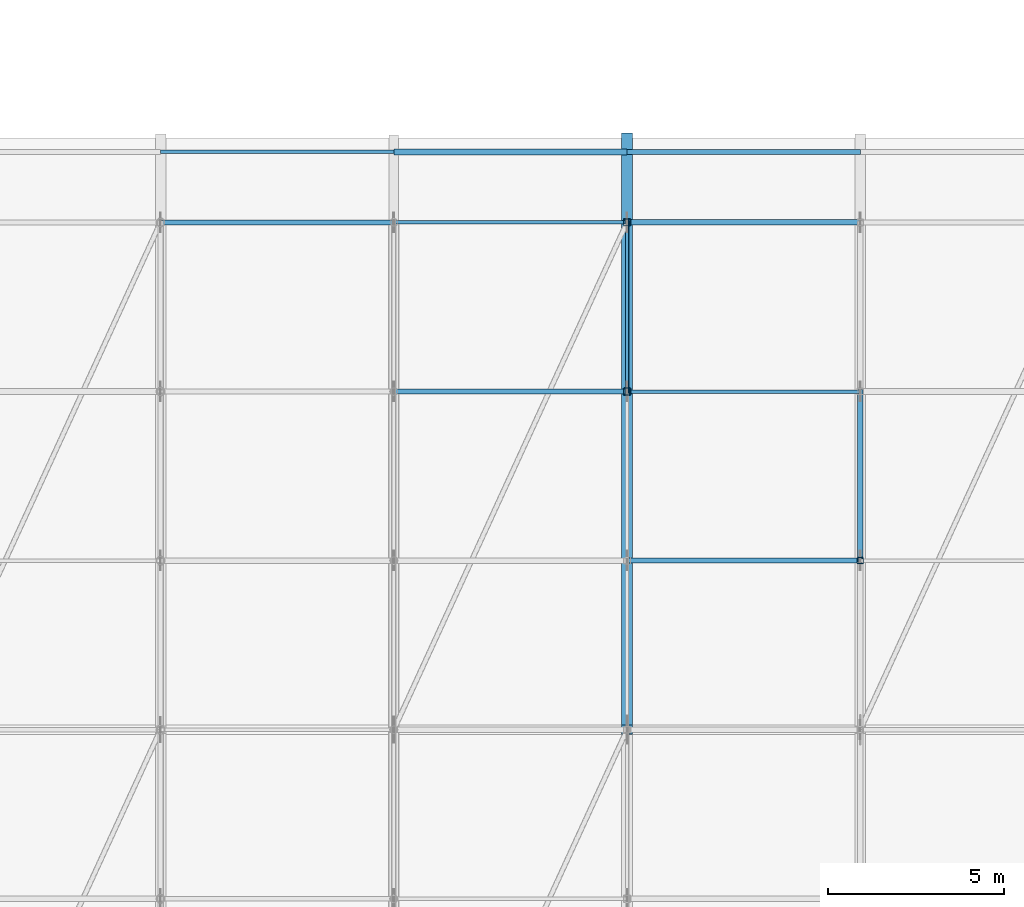
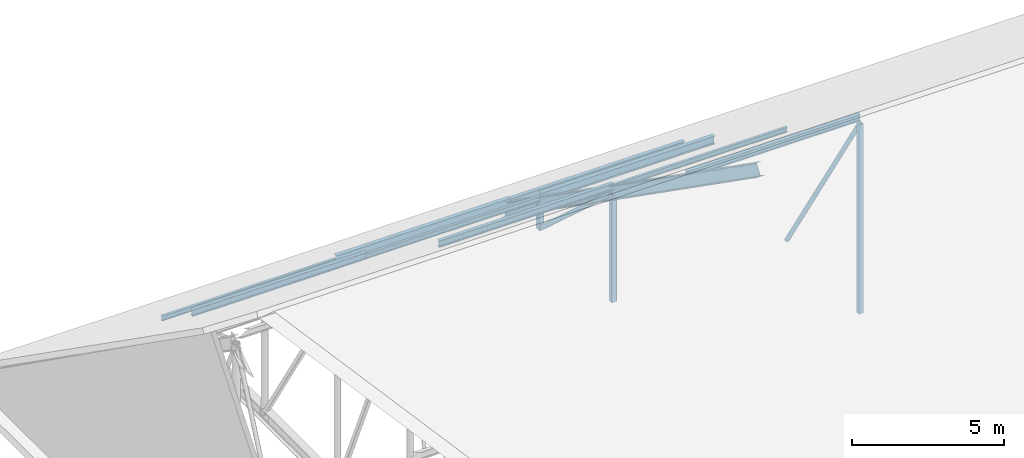
# One storey, part 63 of 134: 15 members.
"""IFC4 building model written with IfcOpenShell, lengths in metres."""

import ifcopenshell
import ifcopenshell.guid

model = None  # the IFC model being written
_history = None  # IfcOwnerHistory: only IFC2X3 demands one
_inside = {}  # id of a spatial element -> (the spatial element, [elements in it])
_under = {}  # id of a project, library or spatial element -> (it, [spatial elements below it])
_declared = {}  # id of a project -> (the project, [libraries it declares])
_typed = {}  # id of a type object -> (the type object, [elements of that type])
_made_of = {}  # id of a material, layer set ... -> (it, [elements and type objects made of it])


def new_model(schema):
    """Start an empty IFC model of exactly this schema.

    Asked for "IFC4X3", IfcOpenShell would pick the latest addendum, in which some entities
    have other attributes; the version numbers below select the first issue.
    IFC2X3 requires an IfcOwnerHistory on every rooted entity: one is made here for all.
    """
    global model, _history
    if schema == "IFC4X3":
        model = ifcopenshell.file(schema_version=(4, 3, 0, 0))
    else:
        model = ifcopenshell.file(schema=schema)
    _inside.clear()
    _under.clear()
    _declared.clear()
    _typed.clear()
    _made_of.clear()
    _history = None
    if model.schema == "IFC2X3":
        org = make("IfcOrganization", Name="unknown")
        user = make(
            "IfcPersonAndOrganization",
            ThePerson=make("IfcPerson", FamilyName="unknown"),
            TheOrganization=org,
        )
        app = make(
            "IfcApplication",
            ApplicationDeveloper=org,
            Version="unknown",
            ApplicationFullName="unknown",
            ApplicationIdentifier="unknown",
        )
        _history = make(
            "IfcOwnerHistory",
            OwningUser=user,
            OwningApplication=app,
            ChangeAction="ADDED",
            CreationDate=0,
        )
    return model


def make(cls, **values):
    """One entity of the class cls with the attributes given. An attribute that is None is left unset."""
    return model.create_entity(
        cls, **{name: value for name, value in values.items() if value is not None}
    )


def rooted(cls, **values):
    """An entity with a GlobalId (a new one), such as an element, a storey or a relation."""
    return make(cls, GlobalId=ifcopenshell.guid.new(), OwnerHistory=_history, **values)


def si_unit(unit_type, name, prefix=None):
    """IfcSIUnit, for example si_unit("LENGTHUNIT", "METRE", prefix="MILLI")."""
    return make("IfcSIUnit", UnitType=unit_type, Prefix=prefix, Name=name)


def assignment(units):
    """IfcUnitAssignment: the units of a project."""
    return None if units is None else make("IfcUnitAssignment", Units=units)


def point(xyz):
    """IfcCartesianPoint."""
    return None if xyz is None else make("IfcCartesianPoint", Coordinates=xyz)


def direction(xyz):
    """IfcDirection."""
    return None if xyz is None else make("IfcDirection", DirectionRatios=xyz)


def frame(location, z_axis=None, x_axis=None):
    """IfcAxis2Placement3D, a coordinate frame: its origin and axes. An axis left out is left unset."""
    return make(
        "IfcAxis2Placement3D",
        Location=point(location),
        Axis=direction(z_axis),
        RefDirection=direction(x_axis),
    )


def frame_2d(location, x_axis=None):
    """IfcAxis2Placement2D, a coordinate frame in the plane: its origin and x axis."""
    return make(
        "IfcAxis2Placement2D", Location=point(location), RefDirection=direction(x_axis)
    )


def origin():
    """The frame at (0, 0, 0) with its axes left unset."""
    return frame((0.0, 0.0, 0.0))


def origin_2d():
    """The frame at (0, 0) in the plane with its x axis left unset."""
    return frame_2d((0.0, 0.0))


def place(relative_to, where):
    """IfcLocalPlacement: puts the frame where relative to a parent placement (None: the world)."""
    return make(
        "IfcLocalPlacement", PlacementRelTo=relative_to, RelativePlacement=where
    )


def context(
    kind, dimensions, precision=None, world=None, true_north=None, identifier=None
):
    """IfcGeometricRepresentationContext, for example the 3D "Model" context."""
    return make(
        "IfcGeometricRepresentationContext",
        ContextIdentifier=identifier,
        ContextType=kind,
        CoordinateSpaceDimension=dimensions,
        Precision=precision,
        WorldCoordinateSystem=world,
        TrueNorth=true_north,
    )


def subcontext(parent, identifier, kind, view, scale=None):
    """IfcGeometricRepresentationSubContext, for example "Body" below "Model"."""
    return make(
        "IfcGeometricRepresentationSubContext",
        ContextIdentifier=identifier,
        ContextType=kind,
        ParentContext=parent,
        TargetScale=scale,
        TargetView=view,
    )


def project(units=None, contexts=None):
    """IfcProject with its units and contexts."""
    return rooted(
        "IfcProject",
        Name="project",
        RepresentationContexts=contexts,
        UnitsInContext=assignment(units),
    )


def spatial(cls, under=None, at=None, **own):
    """A site, building, storey or space (cls), placed at a placement, below another one or the project."""
    s = rooted(cls, ObjectPlacement=at, **own)
    if under is not None:
        _under.setdefault(under.id(), (under, []))[1].append(s)
    return s


def profile(cls, at=None, kind="AREA", **sizes):
    """A parametric profile (cls). Its sizes go by their IFC names, for example OverallWidth=200.0."""
    return make(cls, ProfileType=kind, Position=at, **sizes)


def hollow_rectangle(**sizes):
    """IfcRectangleHollowProfileDef."""
    return profile("IfcRectangleHollowProfileDef", **sizes)


def hollow_circle(**sizes):
    """IfcCircleHollowProfileDef."""
    return profile("IfcCircleHollowProfileDef", **sizes)


def i_section(**sizes):
    """IfcIShapeProfileDef."""
    return profile("IfcIShapeProfileDef", **sizes)


def extrude(swept, where, along, depth):
    """IfcExtrudedAreaSolid: the profile swept, set in the frame where, extruded along a direction by depth."""
    return make(
        "IfcExtrudedAreaSolid",
        SweptArea=swept,
        Position=where,
        ExtrudedDirection=direction(along),
        Depth=depth,
    )


def shape(context_of_items, identifier, shape_type, items):
    """IfcShapeRepresentation: the items that make up one representation, for example the "Body"."""
    return make(
        "IfcShapeRepresentation",
        ContextOfItems=context_of_items,
        RepresentationIdentifier=identifier,
        RepresentationType=shape_type,
        Items=items,
    )


def material(Name=None, Category=None):
    """IfcMaterial."""
    return make("IfcMaterial", Name=Name, Category=Category)


def material_profile(
    of_material, cross_section, Name=None, Category=None, Priority=None
):
    """IfcMaterialProfile: a cross section and its material."""
    return make(
        "IfcMaterialProfile",
        Name=Name,
        Material=of_material,
        Profile=cross_section,
        Priority=Priority,
        Category=Category,
    )


def profile_set(profiles, Name=None, composite=None):
    """IfcMaterialProfileSet."""
    return make(
        "IfcMaterialProfileSet",
        Name=Name,
        MaterialProfiles=profiles,
        CompositeProfile=composite,
    )


def made_of(thing, what):
    """Note that an element or type object is made of a material, layer set ...; save() writes the relation."""
    if what is not None:
        _made_of.setdefault(what.id(), (what, []))[1].append(thing)
    return thing


def type_object(cls, material=None, **own):
    """A type object (cls), such as IfcWallType, which elements share."""
    return made_of(rooted(cls, **own), material)


def element(
    cls,
    number,
    at=None,
    inside=None,
    cuts=None,
    type_object=None,
    material=None,
    context=None,
    identifier="Body",
    shape_type=None,
    held_by="IfcProductDefinitionShape",
    body=None,
    shapes=None,
    **own,
):
    """One element of the class cls, such as IfcWall. Its Tag is "e" and its number.

    at: its placement. inside: the storey or other place that contains it. cuts: it is an
    opening in that element (IfcRelVoidsElement). A single representation is given by context,
    identifier, shape_type and body (its items); several are given by shapes. held_by: the class
    of the entity that holds the representations. save() writes the other relations.
    """
    e = rooted(cls, Tag="e%d" % number, ObjectPlacement=at, **own)
    if body is not None:
        shapes = [shape(context, identifier, shape_type, body)]
    if shapes is not None:
        e.Representation = make(held_by, Representations=shapes)
    if inside is not None:
        _inside.setdefault(inside.id(), (inside, []))[1].append(e)
    if cuts is not None:
        rooted(
            "IfcRelVoidsElement", RelatingBuildingElement=cuts, RelatedOpeningElement=e
        )
    if type_object is not None:
        _typed.setdefault(type_object.id(), (type_object, []))[1].append(e)
    return made_of(e, material)


def aggregate(whole, parts):
    """IfcRelAggregates: a whole, such as a stair, and the parts it consists of."""
    return rooted("IfcRelAggregates", RelatingObject=whole, RelatedObjects=parts)


def save(model, path):
    """Write the relations noted so far, then the file.

    IfcRelAggregates (storeys below a building ...), IfcRelContainedInSpatialStructure (elements
    in a storey), IfcRelDefinesByType, IfcRelAssociatesMaterial and IfcRelDeclares: one each for
    every whole, place, type object, material and project.
    """
    for whole, parts in _under.values():
        aggregate(whole, parts)
    for where, things in _inside.values():
        rooted(
            "IfcRelContainedInSpatialStructure",
            RelatedElements=things,
            RelatingStructure=where,
        )
    for kind, things in _typed.values():
        rooted("IfcRelDefinesByType", RelatedObjects=things, RelatingType=kind)
    for what, things in _made_of.values():
        rooted("IfcRelAssociatesMaterial", RelatedObjects=things, RelatingMaterial=what)
    for by, libraries in _declared.values():
        rooted("IfcRelDeclares", RelatingContext=by, RelatedDefinitions=libraries)
    model.write(path)


model = new_model("IFC4")

# Units and contexts
model_context = context("Model", 3, precision=1e-05, world=origin(), true_north=direction((0.0, 1.0)))
body_context = subcontext(model_context, "Body", "Model", "MODEL_VIEW")
ifc_project = project(units=[si_unit("LENGTHUNIT", "METRE"), si_unit("AREAUNIT", "SQUARE_METRE"), si_unit("VOLUMEUNIT", "CUBIC_METRE"), si_unit("PLANEANGLEUNIT", "RADIAN"), si_unit("MASSUNIT", "GRAM", prefix="KILO")], contexts=[model_context])

# Site, building, storey
site_placement = place(None, origin())
site = spatial("IfcSite", under=ifc_project, at=site_placement, CompositionType="ELEMENT")
building_placement = place(site_placement, origin())
building = spatial("IfcBuilding", under=site, at=building_placement, Name="Asteropetra Specialist Clinic", CompositionType="ELEMENT")
storey_placement = place(building_placement, frame((0.0, 0.0, 8.5)))
storey = spatial("IfcBuildingStorey", under=building, at=storey_placement, Name="L02", CompositionType="ELEMENT", Elevation=8.5)

# Members
ifc_material_1 = material(Name="Steel S355", Category="steel")
ifc_material_profile_1 = material_profile(ifc_material_1, hollow_circle(Radius=0.084228515625, WallThickness=0.008056640625, at=origin_2d()), Name="CHS 168.3x8.0")
ifc_profile_set_1 = profile_set([ifc_material_profile_1], Name="Steel S355")
member_type_1 = type_object("IfcMemberType", Name="TR-BRC-CHS168", PredefinedType="BRACE", material=ifc_profile_set_1)
member_1_placement = place(storey_placement, frame((113.3798828125, 96.0, 8.089599609375), z_axis=(0.0, 0.534274121809, -0.845311281579), x_axis=(-1.0, 0.0, 0.0)))
element("IfcMember", 1, at=member_1_placement, inside=storey, type_object=member_type_1, Name="Truss Web Diagonal TRV1-D05-4", PredefinedType="BRACE", context=body_context, shape_type="SweptSolid", body=[
    extrude(hollow_circle(Radius=0.084228515625, WallThickness=0.008056640625, at=origin_2d()), origin(), (0.0, 0.0, 1.0), 8.984130859375),
])
ifc_material_2 = material(Name="Steel S355", Category="steel")
ifc_material_profile_2 = material_profile(ifc_material_2, hollow_rectangle(XDim=0.10009765625, YDim=0.179931640625, WallThickness=0.008056640625, InnerFilletRadius=0.008056640625, OuterFilletRadius=0.01611328125, at=origin_2d()), Name="RHS 180x100x8.0")
ifc_profile_set_2 = profile_set([ifc_material_profile_2], Name="Steel S355")
member_type_2 = type_object("IfcMemberType", Name="TR-BRC-RHS180", PredefinedType="BRACE", material=ifc_profile_set_2)
member_2_placement = place(storey_placement, frame((106.760009765625, 100.800048828125, 4.718017578125), z_axis=(0.0, 0.741151641795, -0.671337652649), x_axis=(-1.0, 0.0, 0.0)))
element("IfcMember", 2, at=member_2_placement, inside=storey, type_object=member_type_2, Name="Truss Web Diagonal TRV1-D04-5", PredefinedType="BRACE", context=body_context, shape_type="SweptSolid", body=[
    extrude(hollow_rectangle(XDim=0.10009765625, YDim=0.179931640625, WallThickness=0.008056640625, InnerFilletRadius=0.008056640625, OuterFilletRadius=0.01611328125, at=origin_2d()), origin(), (0.0, 0.0, 1.0), 6.4765625),
])
ifc_material_3 = material(Name="Steel S355", Category="steel")
ifc_material_profile_3 = material_profile(ifc_material_3, i_section(OverallWidth=0.300048828125, OverallDepth=0.489990234375, WebThickness=0.011962890625, FlangeThickness=0.02294921875, FilletRadius=0.027099609375, at=origin_2d()), Name="HEA 500")
ifc_profile_set_3 = profile_set([ifc_material_profile_3], Name="Steel S355")
member_type_3 = type_object("IfcMemberType", Name="TR-CHD-HEA500", PredefinedType="CHORD", material=ifc_profile_set_3)
member_3_placement = place(storey_placement, frame((106.760009765625, 91.199951171875, 11.4609375), z_axis=(0.0, 0.818315202226, -0.574769718936), x_axis=(-1.0, 0.0, 0.0)))
element("IfcMember", 3, at=member_3_placement, inside=storey, type_object=member_type_3, Name="Truss North Top Chord TRV1-TCN04", PredefinedType="CHORD", context=body_context, shape_type="SweptSolid", body=[
    extrude(i_section(OverallWidth=0.300048828125, OverallDepth=0.489990234375, WebThickness=0.011962890625, FlangeThickness=0.02294921875, FilletRadius=0.027099609375, at=origin_2d()), origin(), (0.0, 0.0, 1.0), 20.530029296875),
])
ifc_material_4 = material(Name="Steel S355", Category="steel")
ifc_material_profile_4 = material_profile(ifc_material_4, i_section(OverallWidth=0.10009765625, OverallDepth=0.199951171875, WebThickness=0.005615234375, FlangeThickness=0.008544921875, FilletRadius=0.011962890625, at=origin_2d()), Name="IPE 200")
ifc_profile_set_4 = profile_set([ifc_material_profile_4], Name="Steel S355")
member_type_4 = type_object("IfcMemberType", Name="TR-PUR-IPE200", PredefinedType="PURLIN", material=ifc_profile_set_4)
member_4_placement = place(storey_placement, frame((93.52001953125, 107.60009765625, 0.177001953125), z_axis=(1.0, 0.0, 0.0), x_axis=(0.0, 1.0, 0.0)))
element("IfcMember", 4, at=member_4_placement, inside=storey, type_object=member_type_4, Name="Roof Purlin TRV1-P02-09", PredefinedType="PURLIN", context=body_context, shape_type="SweptSolid", body=[
    extrude(i_section(OverallWidth=0.10009765625, OverallDepth=0.199951171875, WebThickness=0.005615234375, FlangeThickness=0.008544921875, FilletRadius=0.011962890625, at=origin_2d()), origin(), (0.0, 0.0, 1.0), 6.619873046875),
])
member_5_placement = place(storey_placement, frame((100.139892578125, 105.60009765625, 1.58154296875), z_axis=(1.0, 0.0, 0.0), x_axis=(0.0, 1.0, 0.0)))
element("IfcMember", 5, at=member_5_placement, inside=storey, type_object=member_type_4, Name="Roof Purlin TRV1-P03-08", PredefinedType="PURLIN", context=body_context, shape_type="SweptSolid", body=[
    extrude(i_section(OverallWidth=0.10009765625, OverallDepth=0.199951171875, WebThickness=0.005615234375, FlangeThickness=0.008544921875, FilletRadius=0.011962890625, at=origin_2d()), origin(), (0.0, 0.0, 1.0), 6.6201171875),
])
member_6_placement = place(storey_placement, frame((106.760009765625, 100.800048828125, 4.953125), z_axis=(1.0, 0.0, 0.0), x_axis=(0.0, 1.0, 0.0)))
element("IfcMember", 6, at=member_6_placement, inside=storey, type_object=member_type_4, Name="Roof Purlin TRV1-P04-07", PredefinedType="PURLIN", context=body_context, shape_type="SweptSolid", body=[
    extrude(i_section(OverallWidth=0.10009765625, OverallDepth=0.199951171875, WebThickness=0.005615234375, FlangeThickness=0.008544921875, FilletRadius=0.011962890625, at=origin_2d()), origin(), (0.0, 0.0, 1.0), 6.619873046875),
])
ifc_material_5 = material(Name="Steel S355", Category="steel")
ifc_material_profile_5 = material_profile(ifc_material_5, i_section(OverallWidth=0.135009765625, OverallDepth=0.27001953125, WebThickness=0.006591796875, FlangeThickness=0.01025390625, FilletRadius=0.014892578125, at=origin_2d()), Name="IPE 270")
ifc_profile_set_5 = profile_set([ifc_material_profile_5], Name="Steel S355")
member_type_5 = type_object("IfcMemberType", Name="TR-PUR-IPE270", PredefinedType="PURLIN", material=ifc_profile_set_5)
member_7_placement = place(storey_placement, frame((93.52001953125, 105.60009765625, 1.61669921875), z_axis=(1.0, 0.0, 0.0), x_axis=(0.0, 1.0, 0.0)))
element("IfcMember", 7, at=member_7_placement, inside=storey, type_object=member_type_5, Name="Roof Purlin TRV1-P02-08", PredefinedType="PURLIN", context=body_context, shape_type="SweptSolid", body=[
    extrude(i_section(OverallWidth=0.135009765625, OverallDepth=0.27001953125, WebThickness=0.006591796875, FlangeThickness=0.01025390625, FilletRadius=0.014892578125, at=origin_2d()), origin(), (0.0, 0.0, 1.0), 6.619873046875),
])
member_8_placement = place(storey_placement, frame((100.139892578125, 100.800048828125, 4.988037109375), z_axis=(1.0, 0.0, 0.0), x_axis=(0.0, 1.0, 0.0)))
element("IfcMember", 8, at=member_8_placement, inside=storey, type_object=member_type_5, Name="Roof Purlin TRV1-P03-07", PredefinedType="PURLIN", context=body_context, shape_type="SweptSolid", body=[
    extrude(i_section(OverallWidth=0.135009765625, OverallDepth=0.27001953125, WebThickness=0.006591796875, FlangeThickness=0.01025390625, FilletRadius=0.014892578125, at=origin_2d()), origin(), (0.0, 0.0, 1.0), 6.6201171875),
])
member_9_placement = place(storey_placement, frame((106.760009765625, 96.0, 8.359619140625), z_axis=(1.0, 0.0, 0.0), x_axis=(0.0, 1.0, 0.0)))
element("IfcMember", 9, at=member_9_placement, inside=storey, type_object=member_type_5, Name="Roof Purlin TRV1-P04-06", PredefinedType="PURLIN", context=body_context, shape_type="SweptSolid", body=[
    extrude(i_section(OverallWidth=0.135009765625, OverallDepth=0.27001953125, WebThickness=0.006591796875, FlangeThickness=0.01025390625, FilletRadius=0.014892578125, at=origin_2d()), origin(), (0.0, 0.0, 1.0), 6.619873046875),
])
ifc_material_6 = material(Name="Steel S355", Category="steel")
ifc_material_profile_6 = material_profile(ifc_material_6, i_section(OverallWidth=0.14990234375, OverallDepth=0.300048828125, WebThickness=0.007080078125, FlangeThickness=0.0107421875, FilletRadius=0.014892578125, at=origin_2d()), Name="IPE 300")
ifc_profile_set_6 = profile_set([ifc_material_profile_6], Name="Steel S355")
member_type_6 = type_object("IfcMemberType", Name="TR-PUR-IPE300", PredefinedType="PURLIN", material=ifc_profile_set_6)
member_10_placement = place(storey_placement, frame((106.760009765625, 107.60009765625, 0.226806640625), z_axis=(1.0, 0.0, 0.0), x_axis=(0.0, 1.0, 0.0)))
element("IfcMember", 10, at=member_10_placement, inside=storey, type_object=member_type_6, Name="Roof Purlin TRV1-P04-09", PredefinedType="PURLIN", context=body_context, shape_type="SweptSolid", body=[
    extrude(i_section(OverallWidth=0.14990234375, OverallDepth=0.300048828125, WebThickness=0.007080078125, FlangeThickness=0.0107421875, FilletRadius=0.014892578125, at=origin_2d()), origin(), (0.0, 0.0, 1.0), 6.619873046875),
])
ifc_material_7 = material(Name="Steel S355", Category="steel")
ifc_material_profile_7 = material_profile(ifc_material_7, i_section(OverallWidth=0.159912109375, OverallDepth=0.330078125, WebThickness=0.007568359375, FlangeThickness=0.011474609375, FilletRadius=0.01806640625, at=origin_2d()), Name="IPE 330")
ifc_profile_set_7 = profile_set([ifc_material_profile_7], Name="Steel S355")
member_type_7 = type_object("IfcMemberType", Name="TR-PUR-IPE330", PredefinedType="PURLIN", material=ifc_profile_set_7)
member_11_placement = place(storey_placement, frame((100.139892578125, 107.60009765625, 0.241943359375), z_axis=(1.0, 0.0, 0.0), x_axis=(0.0, 1.0, 0.0)))
element("IfcMember", 11, at=member_11_placement, inside=storey, type_object=member_type_7, Name="Roof Purlin TRV1-P03-09", PredefinedType="PURLIN", context=body_context, shape_type="SweptSolid", body=[
    extrude(i_section(OverallWidth=0.159912109375, OverallDepth=0.330078125, WebThickness=0.007568359375, FlangeThickness=0.011474609375, FilletRadius=0.01806640625, at=origin_2d()), origin(), (0.0, 0.0, 1.0), 6.6201171875),
])
member_12_placement = place(storey_placement, frame((106.760009765625, 105.60009765625, 1.646484375), z_axis=(1.0, 0.0, 0.0), x_axis=(0.0, 1.0, 0.0)))
element("IfcMember", 12, at=member_12_placement, inside=storey, type_object=member_type_7, Name="Roof Purlin TRV1-P04-08", PredefinedType="PURLIN", context=body_context, shape_type="SweptSolid", body=[
    extrude(i_section(OverallWidth=0.159912109375, OverallDepth=0.330078125, WebThickness=0.007568359375, FlangeThickness=0.011474609375, FilletRadius=0.01806640625, at=origin_2d()), origin(), (0.0, 0.0, 1.0), 6.619873046875),
])
ifc_material_8 = material(Name="Steel S355", Category="steel")
ifc_material_profile_8 = material_profile(ifc_material_8, hollow_rectangle(XDim=0.179931640625, YDim=0.179931640625, WallThickness=0.010009765625, InnerFilletRadius=0.008056640625, OuterFilletRadius=0.01611328125, at=origin_2d()), Name="SHS 180x180x10.0")
ifc_profile_set_8 = profile_set([ifc_material_profile_8], Name="Steel S355")
member_type_8 = type_object("IfcMemberType", Name="TR-STR-SHS180", PredefinedType="STRUT", material=ifc_profile_set_8)
member_13_placement = place(storey_placement, frame((113.3798828125, 96.0, 0.4951171875), z_axis=(0.0, 0.0, 1.0), x_axis=(1.0, 0.0, 0.0)))
element("IfcMember", 13, at=member_13_placement, inside=storey, type_object=member_type_8, Name="Truss Web Strut TRV1-V05-4", PredefinedType="STRUT", context=body_context, shape_type="SweptSolid", body=[
    extrude(hollow_rectangle(XDim=0.179931640625, YDim=0.179931640625, WallThickness=0.010009765625, InnerFilletRadius=0.008056640625, OuterFilletRadius=0.01611328125, at=origin_2d()), origin(), (0.0, 0.0, 1.0), 7.594482421875),
])
ifc_material_9 = material(Name="Steel S355", Category="steel")
ifc_material_profile_9 = material_profile(ifc_material_9, hollow_rectangle(XDim=0.199951171875, YDim=0.199951171875, WallThickness=0.010009765625, InnerFilletRadius=0.008056640625, OuterFilletRadius=0.01611328125, at=origin_2d()), Name="SHS 200x200x10.0")
ifc_profile_set_9 = profile_set([ifc_material_profile_9], Name="Steel S355")
member_type_9 = type_object("IfcMemberType", Name="TR-STR-SHS200", PredefinedType="STRUT", material=ifc_profile_set_9)
member_14_placement = place(storey_placement, frame((106.760009765625, 100.800048828125, 0.3701171875), z_axis=(0.0, 0.0, 1.0), x_axis=(1.0, 0.0, 0.0)))
element("IfcMember", 14, at=member_14_placement, inside=storey, type_object=member_type_9, Name="Truss Web Strut TRV1-V04-5", PredefinedType="STRUT", context=body_context, shape_type="SweptSolid", body=[
    extrude(hollow_rectangle(XDim=0.199951171875, YDim=0.199951171875, WallThickness=0.010009765625, InnerFilletRadius=0.008056640625, OuterFilletRadius=0.01611328125, at=origin_2d()), origin(), (0.0, 0.0, 1.0), 4.347900390625),
])
member_15_placement = place(storey_placement, frame((106.760009765625, 105.60009765625, 0.3701171875), z_axis=(0.0, 0.0, 1.0), x_axis=(1.0, 0.0, 0.0)))
element("IfcMember", 15, at=member_15_placement, inside=storey, type_object=member_type_9, Name="Truss Web Strut TRV1-V04-6", PredefinedType="STRUT", context=body_context, shape_type="SweptSolid", body=[
    extrude(hollow_rectangle(XDim=0.199951171875, YDim=0.199951171875, WallThickness=0.010009765625, InnerFilletRadius=0.008056640625, OuterFilletRadius=0.01611328125, at=origin_2d()), origin(), (0.0, 0.0, 1.0), 0.9765625),
])

save(model, "model.ifc")
